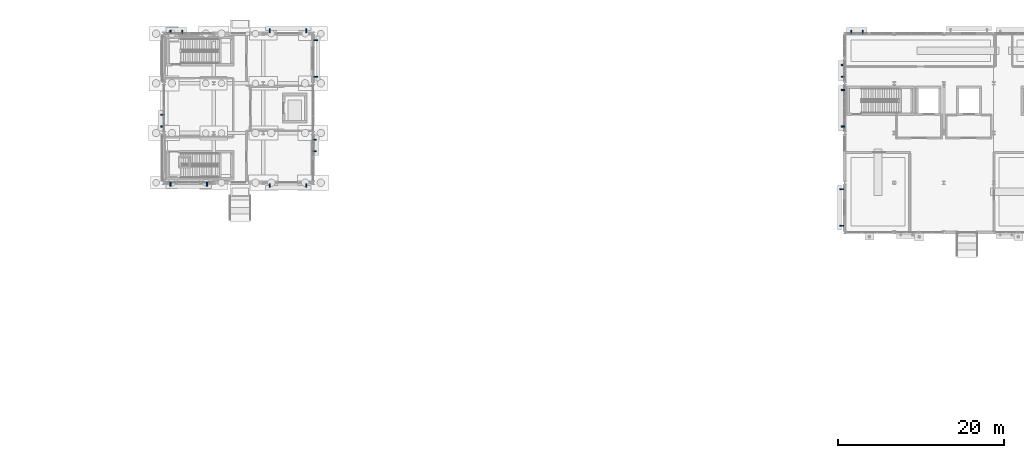
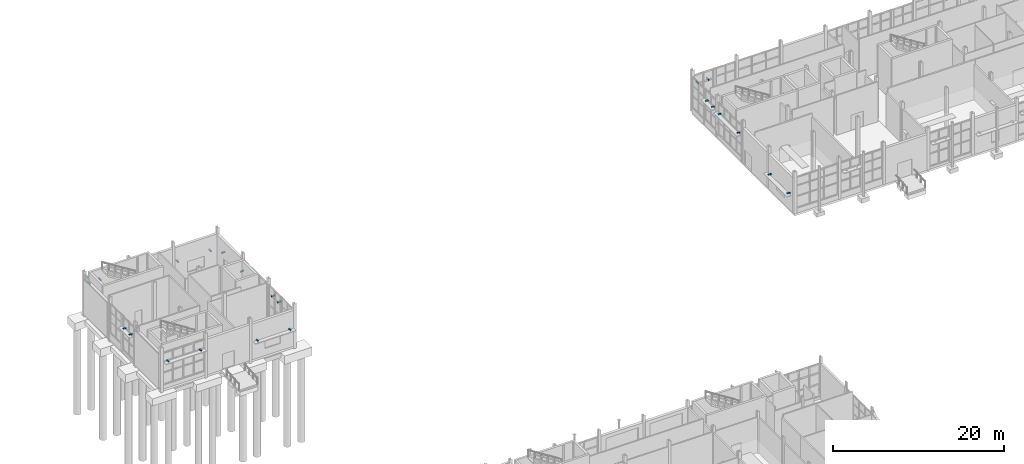
# One storey, part 108 of 120: 22 discrete accessories.
"""IFC4 building model written with IfcOpenShell, lengths in metres."""

import ifcopenshell
import ifcopenshell.guid

model = None  # the IFC model being written
_history = None  # IfcOwnerHistory: only IFC2X3 demands one
_inside = {}  # id of a spatial element -> (the spatial element, [elements in it])
_under = {}  # id of a project, library or spatial element -> (it, [spatial elements below it])
_declared = {}  # id of a project -> (the project, [libraries it declares])
_typed = {}  # id of a type object -> (the type object, [elements of that type])
_made_of = {}  # id of a material, layer set ... -> (it, [elements and type objects made of it])


def new_model(schema):
    """Start an empty IFC model of exactly this schema.

    Asked for "IFC4X3", IfcOpenShell would pick the latest addendum, in which some entities
    have other attributes; the version numbers below select the first issue.
    IFC2X3 requires an IfcOwnerHistory on every rooted entity: one is made here for all.
    """
    global model, _history
    if schema == "IFC4X3":
        model = ifcopenshell.file(schema_version=(4, 3, 0, 0))
    else:
        model = ifcopenshell.file(schema=schema)
    _inside.clear()
    _under.clear()
    _declared.clear()
    _typed.clear()
    _made_of.clear()
    _history = None
    if model.schema == "IFC2X3":
        org = make("IfcOrganization", Name="unknown")
        user = make(
            "IfcPersonAndOrganization",
            ThePerson=make("IfcPerson", FamilyName="unknown"),
            TheOrganization=org,
        )
        app = make(
            "IfcApplication",
            ApplicationDeveloper=org,
            Version="unknown",
            ApplicationFullName="unknown",
            ApplicationIdentifier="unknown",
        )
        _history = make(
            "IfcOwnerHistory",
            OwningUser=user,
            OwningApplication=app,
            ChangeAction="ADDED",
            CreationDate=0,
        )
    return model


def make(cls, **values):
    """One entity of the class cls with the attributes given. An attribute that is None is left unset."""
    return model.create_entity(
        cls, **{name: value for name, value in values.items() if value is not None}
    )


def rooted(cls, **values):
    """An entity with a GlobalId (a new one), such as an element, a storey or a relation."""
    return make(cls, GlobalId=ifcopenshell.guid.new(), OwnerHistory=_history, **values)


def si_unit(unit_type, name, prefix=None):
    """IfcSIUnit, for example si_unit("LENGTHUNIT", "METRE", prefix="MILLI")."""
    return make("IfcSIUnit", UnitType=unit_type, Prefix=prefix, Name=name)


def assignment(units):
    """IfcUnitAssignment: the units of a project."""
    return None if units is None else make("IfcUnitAssignment", Units=units)


def point(xyz):
    """IfcCartesianPoint."""
    return None if xyz is None else make("IfcCartesianPoint", Coordinates=xyz)


def direction(xyz):
    """IfcDirection."""
    return None if xyz is None else make("IfcDirection", DirectionRatios=xyz)


def frame(location, z_axis=None, x_axis=None):
    """IfcAxis2Placement3D, a coordinate frame: its origin and axes. An axis left out is left unset."""
    return make(
        "IfcAxis2Placement3D",
        Location=point(location),
        Axis=direction(z_axis),
        RefDirection=direction(x_axis),
    )


def frame_2d(location, x_axis=None):
    """IfcAxis2Placement2D, a coordinate frame in the plane: its origin and x axis."""
    return make(
        "IfcAxis2Placement2D", Location=point(location), RefDirection=direction(x_axis)
    )


def origin():
    """The frame at (0, 0, 0) with its axes left unset."""
    return frame((0.0, 0.0, 0.0))


def origin_2d():
    """The frame at (0, 0) in the plane with its x axis left unset."""
    return frame_2d((0.0, 0.0))


def place(relative_to, where):
    """IfcLocalPlacement: puts the frame where relative to a parent placement (None: the world)."""
    return make(
        "IfcLocalPlacement", PlacementRelTo=relative_to, RelativePlacement=where
    )


def context(
    kind, dimensions, precision=None, world=None, true_north=None, identifier=None
):
    """IfcGeometricRepresentationContext, for example the 3D "Model" context."""
    return make(
        "IfcGeometricRepresentationContext",
        ContextIdentifier=identifier,
        ContextType=kind,
        CoordinateSpaceDimension=dimensions,
        Precision=precision,
        WorldCoordinateSystem=world,
        TrueNorth=true_north,
    )


def subcontext(parent, identifier, kind, view, scale=None):
    """IfcGeometricRepresentationSubContext, for example "Body" below "Model"."""
    return make(
        "IfcGeometricRepresentationSubContext",
        ContextIdentifier=identifier,
        ContextType=kind,
        ParentContext=parent,
        TargetScale=scale,
        TargetView=view,
    )


def project(units=None, contexts=None):
    """IfcProject with its units and contexts."""
    return rooted(
        "IfcProject",
        Name="project",
        RepresentationContexts=contexts,
        UnitsInContext=assignment(units),
    )


def spatial(cls, under=None, at=None, **own):
    """A site, building, storey or space (cls), placed at a placement, below another one or the project."""
    s = rooted(cls, ObjectPlacement=at, **own)
    if under is not None:
        _under.setdefault(under.id(), (under, []))[1].append(s)
    return s


def profile(cls, at=None, kind="AREA", **sizes):
    """A parametric profile (cls). Its sizes go by their IFC names, for example OverallWidth=200.0."""
    return make(cls, ProfileType=kind, Position=at, **sizes)


def rectangle(**sizes):
    """IfcRectangleProfileDef."""
    return profile("IfcRectangleProfileDef", **sizes)


def extrude(swept, where, along, depth):
    """IfcExtrudedAreaSolid: the profile swept, set in the frame where, extruded along a direction by depth."""
    return make(
        "IfcExtrudedAreaSolid",
        SweptArea=swept,
        Position=where,
        ExtrudedDirection=direction(along),
        Depth=depth,
    )


def shape(context_of_items, identifier, shape_type, items):
    """IfcShapeRepresentation: the items that make up one representation, for example the "Body"."""
    return make(
        "IfcShapeRepresentation",
        ContextOfItems=context_of_items,
        RepresentationIdentifier=identifier,
        RepresentationType=shape_type,
        Items=items,
    )


def material(Name=None, Category=None):
    """IfcMaterial."""
    return make("IfcMaterial", Name=Name, Category=Category)


def made_of(thing, what):
    """Note that an element or type object is made of a material, layer set ...; save() writes the relation."""
    if what is not None:
        _made_of.setdefault(what.id(), (what, []))[1].append(thing)
    return thing


def type_object(cls, material=None, **own):
    """A type object (cls), such as IfcWallType, which elements share."""
    return made_of(rooted(cls, **own), material)


def element(
    cls,
    number,
    at=None,
    inside=None,
    cuts=None,
    type_object=None,
    material=None,
    context=None,
    identifier="Body",
    shape_type=None,
    held_by="IfcProductDefinitionShape",
    body=None,
    shapes=None,
    **own,
):
    """One element of the class cls, such as IfcWall. Its Tag is "e" and its number.

    at: its placement. inside: the storey or other place that contains it. cuts: it is an
    opening in that element (IfcRelVoidsElement). A single representation is given by context,
    identifier, shape_type and body (its items); several are given by shapes. held_by: the class
    of the entity that holds the representations. save() writes the other relations.
    """
    e = rooted(cls, Tag="e%d" % number, ObjectPlacement=at, **own)
    if body is not None:
        shapes = [shape(context, identifier, shape_type, body)]
    if shapes is not None:
        e.Representation = make(held_by, Representations=shapes)
    if inside is not None:
        _inside.setdefault(inside.id(), (inside, []))[1].append(e)
    if cuts is not None:
        rooted(
            "IfcRelVoidsElement", RelatingBuildingElement=cuts, RelatedOpeningElement=e
        )
    if type_object is not None:
        _typed.setdefault(type_object.id(), (type_object, []))[1].append(e)
    return made_of(e, material)


def aggregate(whole, parts):
    """IfcRelAggregates: a whole, such as a stair, and the parts it consists of."""
    return rooted("IfcRelAggregates", RelatingObject=whole, RelatedObjects=parts)


def save(model, path):
    """Write the relations noted so far, then the file.

    IfcRelAggregates (storeys below a building ...), IfcRelContainedInSpatialStructure (elements
    in a storey), IfcRelDefinesByType, IfcRelAssociatesMaterial and IfcRelDeclares: one each for
    every whole, place, type object, material and project.
    """
    for whole, parts in _under.values():
        aggregate(whole, parts)
    for where, things in _inside.values():
        rooted(
            "IfcRelContainedInSpatialStructure",
            RelatedElements=things,
            RelatingStructure=where,
        )
    for kind, things in _typed.values():
        rooted("IfcRelDefinesByType", RelatedObjects=things, RelatingType=kind)
    for what, things in _made_of.values():
        rooted("IfcRelAssociatesMaterial", RelatedObjects=things, RelatingMaterial=what)
    for by, libraries in _declared.values():
        rooted("IfcRelDeclares", RelatingContext=by, RelatedDefinitions=libraries)
    model.write(path)


model = new_model("IFC4")

# Units and contexts
model_context = context("Model", 3, precision=1e-05, world=origin(), true_north=direction((0.0, 1.0)))
body_context = subcontext(model_context, "Body", "Model", "MODEL_VIEW")
ifc_project = project(units=[si_unit("LENGTHUNIT", "METRE"), si_unit("AREAUNIT", "SQUARE_METRE"), si_unit("VOLUMEUNIT", "CUBIC_METRE"), si_unit("PLANEANGLEUNIT", "RADIAN"), si_unit("MASSUNIT", "GRAM", prefix="KILO")], contexts=[model_context])

# Site, building, storey
site_placement = place(None, origin())
site = spatial("IfcSite", under=ifc_project, at=site_placement, CompositionType="ELEMENT")
building_placement = place(site_placement, origin())
building = spatial("IfcBuilding", under=site, at=building_placement, Name="Siltcreek Boulevard Central Fire Station", CompositionType="ELEMENT")
storey_placement = place(building_placement, origin())
storey = spatial("IfcBuildingStorey", under=building, at=storey_placement, Name="L01", CompositionType="ELEMENT", Elevation=0.0)

# Discrete accessories
ifc_material = material(Name="Hot-dip galvanized steel facade outrigger bracket", Category="steel")
discrete_accessory_type = type_object("IfcDiscreteAccessoryType", Name="ACC_BRACKET", PredefinedType="BRACKET", material=ifc_material)
for number, where, z_axis, x_axis, name in (
    (1, (42.794921875, 94.02001953125, 3.75830078125), (0.0, 0.0, 1.0), (1.0, 0.0, 0.0), "Galvanized sunshade support bracket BK-031"),
    (2, (47.205078125, 94.02001953125, 3.75830078125), (0.0, 0.0, 1.0), (1.0, 0.0, 0.0), "Galvanized sunshade support bracket BK-032"),
    (3, (54.794921875, 93.864990234375, 2.58984375), (0.0, 0.0, 1.0), (1.0, 0.0, 0.0), "Galvanized sunshade support bracket BK-033"),
    (4, (59.205078125, 93.864990234375, 2.58984375), (0.0, 0.0, 1.0), (1.0, 0.0, 0.0), "Galvanized sunshade support bracket BK-034"),
    (5, (44.2099609375, 112.3798828125, 3.82568359375), (0.0, 0.0, 1.0), (-1.0, 0.0, 0.0), "Galvanized sunshade support bracket BK-035"),
    (6, (42.794921875, 112.3798828125, 3.82568359375), (0.0, 0.0, 1.0), (-1.0, 0.0, 0.0), "Galvanized sunshade support bracket BK-036"),
    (7, (59.205078125, 112.534912109375, 2.58984375), (0.0, 0.0, 1.0), (-1.0, 0.0, 0.0), "Galvanized sunshade support bracket BK-037"),
    (8, (54.794921875, 112.534912109375, 2.58984375), (0.0, 0.0, 1.0), (-1.0, 0.0, 0.0), "Galvanized sunshade support bracket BK-038"),
    (9, (41.820068359375, 102.409912109375, 3.64111328125), (0.0, 0.0, 1.0), (0.0, -1.0, 0.0), "Galvanized sunshade support bracket BK-039"),
    (10, (41.820068359375, 100.9951171875, 3.64111328125), (0.0, 0.0, 1.0), (0.0, -1.0, 0.0), "Galvanized sunshade support bracket BK-040"),
    (11, (60.179931640625, 97.989990234375, 3.70849609375), (0.0, 0.0, 1.0), (0.0, 1.0, 0.0), "Galvanized sunshade support bracket BK-041"),
    (12, (60.179931640625, 99.405029296875, 3.70849609375), (0.0, 0.0, 1.0), (0.0, 1.0, 0.0), "Galvanized sunshade support bracket BK-042"),
    (13, (60.3349609375, 106.9951171875, 2.58984375), (0.0, 0.0, 1.0), (0.0, 1.0, 0.0), "Galvanized sunshade support bracket BK-043"),
    (14, (60.3349609375, 111.405029296875, 2.58984375), (0.0, 0.0, 1.0), (0.0, 1.0, 0.0), "Galvanized sunshade support bracket BK-044"),
    (15, (126.409912109375, 112.3798828125, 3.69091796875), (0.0, 0.0, 1.0), (-1.0, 0.0, 0.0), "Galvanized sunshade support bracket BK-149"),
    (16, (124.9951171875, 112.3798828125, 3.69091796875), (0.0, 0.0, 1.0), (-1.0, 0.0, 0.0), "Galvanized sunshade support bracket BK-150"),
    (17, (123.864990234375, 93.405029296875, 2.39990234375), (0.0, 0.0, 1.0), (0.0, -1.0, 0.0), "Galvanized sunshade support bracket BK-159"),
    (18, (123.864990234375, 88.9951171875, 2.39990234375), (0.0, 0.0, 1.0), (0.0, -1.0, 0.0), "Galvanized sunshade support bracket BK-160"),
    (19, (124.02001953125, 105.405029296875, 3.70849609375), (0.0, 0.0, 1.0), (0.0, -1.0, 0.0), "Galvanized sunshade support bracket BK-161"),
    (20, (124.02001953125, 100.9951171875, 3.70849609375), (0.0, 0.0, 1.0), (0.0, -1.0, 0.0), "Galvanized sunshade support bracket BK-162"),
    (21, (124.02001953125, 108.409912109375, 3.77587890625), (0.0, 0.0, 1.0), (0.0, -1.0, 0.0), "Galvanized sunshade support bracket BK-163"),
    (22, (124.02001953125, 106.9951171875, 3.77587890625), (0.0, 0.0, 1.0), (0.0, -1.0, 0.0), "Galvanized sunshade support bracket BK-164"),
):
    element("IfcDiscreteAccessory", number, at=place(storey_placement, frame(where, z_axis=z_axis, x_axis=x_axis)), inside=storey, type_object=discrete_accessory_type, Name=name, PredefinedType="BRACKET", context=body_context, shape_type="SweptSolid", body=[
        extrude(rectangle(XDim=0.139892578125, YDim=0.4599609375, at=origin_2d()), origin(), (0.0, 0.0, 1.0), 0.159912109375),
    ])

save(model, "model.ifc")
